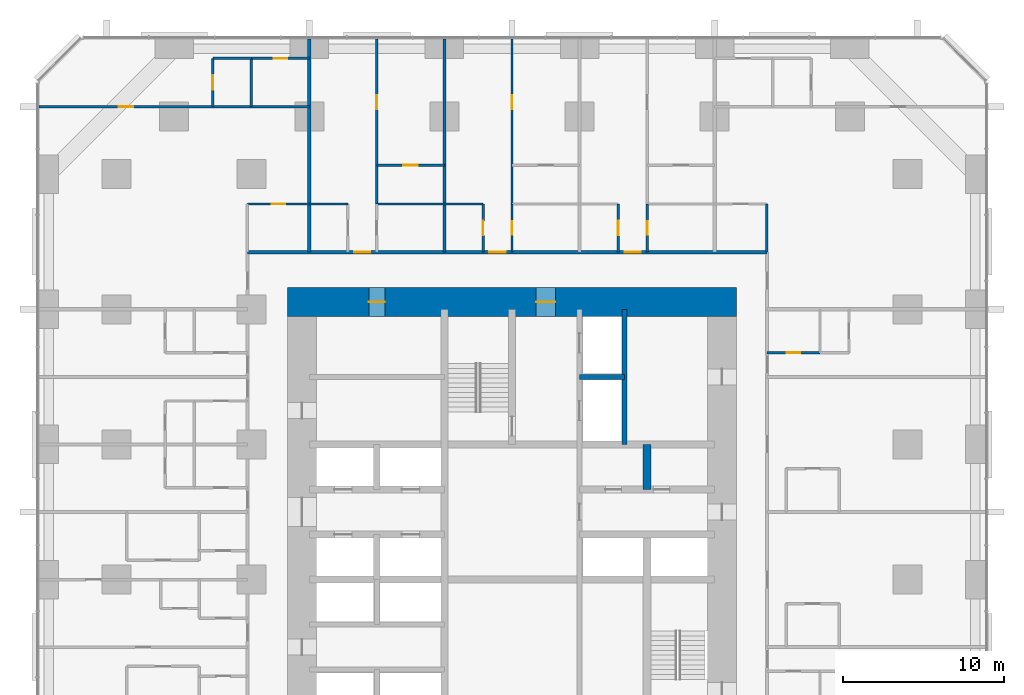
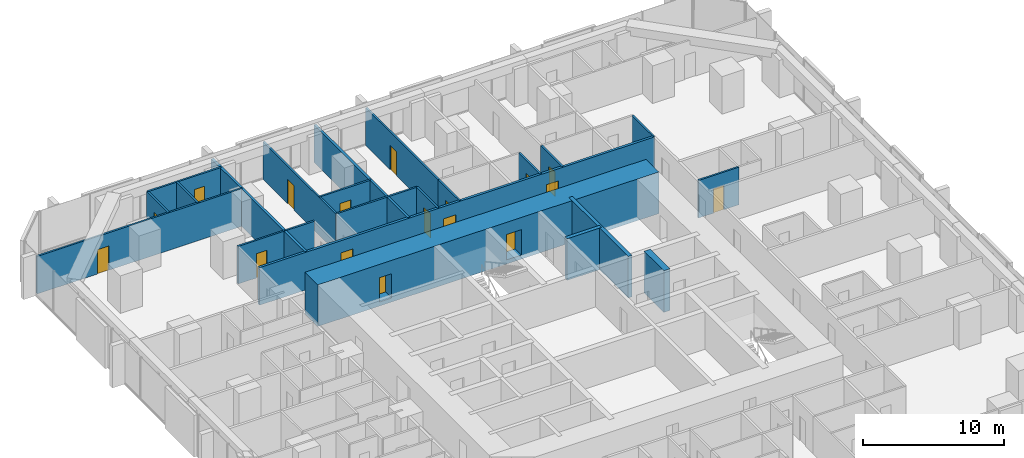
# One storey, part 15 of 17: 24 walls, 17 doors, 17 openings.
"""IFC4 building model written with IfcOpenShell, lengths in metres."""

from ifc_helpers import new_model, si_unit, direction, frame, frame_2d, origin, place, context, subcontext, project, spatial, rectangle, extrude, material, layer, layer_set, type_object, element, fill, save


model = new_model("IFC4")

# Units and contexts
model_context = context("Model", 3, precision=1e-05, world=origin(), true_north=direction((0.0, 1.0)))
body_context = subcontext(model_context, "Body", "Model", "MODEL_VIEW")
ifc_project = project(units=[si_unit("LENGTHUNIT", "METRE"), si_unit("AREAUNIT", "SQUARE_METRE"), si_unit("VOLUMEUNIT", "CUBIC_METRE"), si_unit("PLANEANGLEUNIT", "RADIAN"), si_unit("MASSUNIT", "GRAM", prefix="KILO")], contexts=[model_context])

# Site, building, storey
site_placement = place(None, origin())
site = spatial("IfcSite", under=ifc_project, at=site_placement, CompositionType="ELEMENT")
building_placement = place(site_placement, origin())
building = spatial("IfcBuilding", under=site, at=building_placement, Name="Dunama Terrace Hotel", CompositionType="ELEMENT")
storey_placement = place(building_placement, frame((0.0, 0.0, 45.0)))
storey = spatial("IfcBuildingStorey", under=building, at=storey_placement, Name="L10", CompositionType="ELEMENT", Elevation=45.0)

# Wall, opening, door
ifc_material_1 = material(Name="Gypsum board partition", Category="masonry")
ifc_layer_1 = layer(ifc_material_1, 0.14990234375)
ifc_layer_set_1 = layer_set([ifc_layer_1], Name="Bathroom partition 150")
wall_type_1 = type_object("IfcWallType", Name="Bathroom partition 150", PredefinedType="PARTITIONING", material=ifc_layer_set_1)
wall_1_placement = place(storey_placement, frame((29.39990234375, 45.550048828125, 0.0), z_axis=(0.0, 0.0, 1.0), x_axis=(0.0, 1.0, 0.0)))
wall_1 = element("IfcWall", 1, at=wall_1_placement, inside=storey, type_object=wall_type_1, Name="Bathroom partition 150 L10", PredefinedType="PARTITIONING", context=body_context, shape_type="SweptSolid", body=[
    extrude(rectangle(XDim=3.0, YDim=0.14990234375, at=frame_2d((1.5, 0.0))), origin(), (0.0, 0.0, 1.0), 3.25),
])
opening_1_placement = place(wall_1_placement, frame((1.074951171875, 0.0, 0.0)))
opening_1 = element("IfcOpeningElement", 2, at=opening_1_placement, cuts=wall_1, Name="Opening L10-11-041", PredefinedType="OPENING", context=body_context, shape_type="SweptSolid", body=[
    extrude(rectangle(XDim=0.85009765625, YDim=2.10009765625, at=frame_2d((0.425048828125, 1.050048828125))), frame((0.0, 0.0849609375, 0.0), z_axis=(0.0, -1.0, 0.0), x_axis=(1.0, 0.0, 0.0)), (0.0, 0.0, 1.0), 0.169921875),
])
ifc_material_2 = material(Name="Timber door with steel frame", Category="steel")
door_type_1 = type_object("IfcDoorType", Name="Bathroom door 850", OperationType="SINGLE_SWING_LEFT", PredefinedType="DOOR", material=ifc_material_2)
door_1_placement = place(opening_1_placement, frame((0.85009765625, 0.0, 0.0), z_axis=(0.0, 0.0, 1.0), x_axis=(-1.0, 0.0, 0.0)))
door_1 = element("IfcDoor", 3, at=door_1_placement, inside=storey, type_object=door_type_1, Name="Door to residence bathroom L10-11-041, type D2", OperationType="SINGLE_SWING_RIGHT", OverallHeight=2.10009765625, OverallWidth=0.85009765625, PredefinedType="DOOR", context=body_context, shape_type="SweptSolid", body=[
    extrude(rectangle(XDim=0.85009765625, YDim=2.10009765625, at=frame_2d((0.425048828125, 1.050048828125))), frame((0.0, 0.025146484375, 0.0), z_axis=(0.0, -1.0, 0.0), x_axis=(1.0, 0.0, 0.0)), (0.0, 0.0, 1.0), 0.050048828125),
])
fill(opening_1, door_1)

wall_2_placement = place(storey_placement, frame((37.800048828125, 45.550048828125, 0.0), z_axis=(0.0, 0.0, 1.0), x_axis=(0.0, 1.0, 0.0)))
wall_2 = element("IfcWall", 4, at=wall_2_placement, inside=storey, type_object=wall_type_1, Name="Bathroom partition 150 L10", PredefinedType="PARTITIONING", context=body_context, shape_type="SweptSolid", body=[
    extrude(rectangle(XDim=3.0, YDim=0.14990234375, at=frame_2d((1.5, 0.0))), origin(), (0.0, 0.0, 1.0), 3.25),
])
opening_2_placement = place(wall_2_placement, frame((1.074951171875, 0.0, 0.0)))
opening_2 = element("IfcOpeningElement", 5, at=opening_2_placement, cuts=wall_2, Name="Opening L10-11-046", PredefinedType="OPENING", context=body_context, shape_type="SweptSolid", body=[
    extrude(rectangle(XDim=0.85009765625, YDim=2.10009765625, at=frame_2d((0.425048828125, 1.050048828125))), frame((0.0, 0.0849609375, 0.0), z_axis=(0.0, -1.0, 0.0), x_axis=(1.0, 0.0, 0.0)), (0.0, 0.0, 1.0), 0.169921875),
])
door_2_placement = place(opening_2_placement, frame((0.85009765625, 0.0, 0.0), z_axis=(0.0, 0.0, 1.0), x_axis=(-1.0, 0.0, 0.0)))
door_2 = element("IfcDoor", 6, at=door_2_placement, inside=storey, type_object=door_type_1, Name="Door to residence bathroom L10-11-046, type D2", OperationType="SINGLE_SWING_RIGHT", OverallHeight=2.10009765625, OverallWidth=0.85009765625, PredefinedType="DOOR", context=body_context, shape_type="SweptSolid", body=[
    extrude(rectangle(XDim=0.85009765625, YDim=2.10009765625, at=frame_2d((0.425048828125, 1.050048828125))), frame((0.0, 0.025146484375, 0.0), z_axis=(0.0, -1.0, 0.0), x_axis=(1.0, 0.0, 0.0)), (0.0, 0.0, 1.0), 0.050048828125),
])
fill(opening_2, door_2)

# Wall
wall_3_placement = place(storey_placement, frame((45.25, 45.550048828125, 0.0), z_axis=(0.0, 0.0, 1.0), x_axis=(0.0, 1.0, 0.0)))
element("IfcWall", 7, at=wall_3_placement, inside=storey, type_object=wall_type_1, Name="Bathroom partition 150 L10", PredefinedType="PARTITIONING", context=body_context, shape_type="SweptSolid", body=[
    extrude(rectangle(XDim=3.0, YDim=0.14990234375, at=frame_2d((1.5, 0.0))), origin(), (0.0, 0.0, 1.0), 3.25),
])

# Wall, opening, door
wall_4_placement = place(storey_placement, frame((45.25, 39.300048828125, 0.0), z_axis=(0.0, 0.0, 1.0), x_axis=(1.0, 0.0, 0.0)))
wall_4 = element("IfcWall", 8, at=wall_4_placement, inside=storey, type_object=wall_type_1, Name="Bathroom partition 150 L10", PredefinedType="PARTITIONING", context=body_context, shape_type="SweptSolid", body=[
    extrude(rectangle(XDim=3.300048828125, YDim=0.14990234375, at=frame_2d((1.64990234375, 0.0))), origin(), (0.0, 0.0, 1.0), 3.25),
])
opening_3_placement = place(wall_4_placement, frame((1.22509765625, 0.0, 0.0)))
opening_3 = element("IfcOpeningElement", 9, at=opening_3_placement, cuts=wall_4, Name="Opening L10-11-032", PredefinedType="OPENING", context=body_context, shape_type="SweptSolid", body=[
    extrude(rectangle(XDim=0.85009765625, YDim=2.10009765625, at=frame_2d((0.425048828125, 1.050048828125))), frame((0.0, 0.0849609375, 0.0), z_axis=(0.0, -1.0, 0.0), x_axis=(1.0, 0.0, 0.0)), (0.0, 0.0, 1.0), 0.169921875),
])
door_3_placement = place(opening_3_placement, origin())
door_3 = element("IfcDoor", 10, at=door_3_placement, inside=storey, type_object=door_type_1, Name="Door to en-suite bathroom L10-11-032, type D2", OperationType="SINGLE_SWING_LEFT", OverallHeight=2.10009765625, OverallWidth=0.85009765625, PredefinedType="DOOR", context=body_context, shape_type="SweptSolid", body=[
    extrude(rectangle(XDim=0.85009765625, YDim=2.10009765625, at=frame_2d((0.425048828125, 1.050048828125))), frame((0.0, 0.02490234375, 0.0), z_axis=(0.0, -1.0, 0.0), x_axis=(1.0, 0.0, 0.0)), (0.0, 0.0, 1.0), 0.050048828125),
])
fill(opening_3, door_3)

wall_5_placement = place(storey_placement, frame((12.949951171875, 48.550048828125, 0.0), z_axis=(0.0, 0.0, 1.0), x_axis=(1.0, 0.0, 0.0)))
wall_5 = element("IfcWall", 11, at=wall_5_placement, inside=storey, type_object=wall_type_1, Name="Bathroom partition 150 L10", PredefinedType="PARTITIONING", context=body_context, shape_type="SweptSolid", body=[
    extrude(rectangle(XDim=3.85009765625, YDim=0.14990234375, at=frame_2d((1.925048828125, 0.0))), origin(), (0.0, 0.0, 1.0), 3.25),
])
opening_4_placement = place(wall_5_placement, frame((1.5, 0.0, 0.0)))
opening_4 = element("IfcOpeningElement", 12, at=opening_4_placement, cuts=wall_5, Name="Opening L10-11-083", PredefinedType="OPENING", context=body_context, shape_type="SweptSolid", body=[
    extrude(rectangle(XDim=0.85009765625, YDim=2.10009765625, at=frame_2d((0.425048828125, 1.050048828125))), frame((0.0, 0.0849609375, 0.0), z_axis=(0.0, -1.0, 0.0), x_axis=(1.0, 0.0, 0.0)), (0.0, 0.0, 1.0), 0.169921875),
])
door_4_placement = place(opening_4_placement, frame((0.85009765625, 0.0, 0.0), z_axis=(0.0, 0.0, 1.0), x_axis=(-1.0, 0.0, 0.0)))
door_4 = element("IfcDoor", 13, at=door_4_placement, inside=storey, type_object=door_type_1, Name="Door to powder room L10-11-083, type D2", OperationType="SINGLE_SWING_RIGHT", OverallHeight=2.10009765625, OverallWidth=0.85009765625, PredefinedType="DOOR", context=body_context, shape_type="SweptSolid", body=[
    extrude(rectangle(XDim=0.85009765625, YDim=2.10009765625, at=frame_2d((0.425048828125, 1.050048828125))), frame((0.0, 0.025146484375, 0.0), z_axis=(0.0, -1.0, 0.0), x_axis=(1.0, 0.0, 0.0)), (0.0, 0.0, 1.0), 0.050048828125),
])
fill(opening_4, door_4)

wall_6_placement = place(storey_placement, frame((13.199951171875, 57.60009765625, 0.0), z_axis=(0.0, 0.0, 1.0), x_axis=(1.0, 0.0, 0.0)))
wall_6 = element("IfcWall", 14, at=wall_6_placement, inside=storey, type_object=wall_type_1, Name="Bathroom partition 150 L10", PredefinedType="PARTITIONING", context=body_context, shape_type="SweptSolid", body=[
    extrude(rectangle(XDim=3.60009765625, YDim=0.14990234375, at=frame_2d((1.800048828125, 0.0))), origin(), (0.0, 0.0, 1.0), 3.25),
])
opening_5_placement = place(wall_6_placement, frame((1.375, 0.0, 0.0)))
opening_5 = element("IfcOpeningElement", 15, at=opening_5_placement, cuts=wall_6, Name="Opening L10-11-085", PredefinedType="OPENING", context=body_context, shape_type="SweptSolid", body=[
    extrude(rectangle(XDim=0.85009765625, YDim=2.10009765625, at=frame_2d((0.425048828125, 1.050048828125))), frame((0.0, 0.0849609375, 0.0), z_axis=(0.0, -1.0, 0.0), x_axis=(1.0, 0.0, 0.0)), (0.0, 0.0, 1.0), 0.169921875),
])
door_5_placement = place(opening_5_placement, frame((0.85009765625, 0.0, 0.0), z_axis=(0.0, 0.0, 1.0), x_axis=(-1.0, 0.0, 0.0)))
door_5 = element("IfcDoor", 16, at=door_5_placement, inside=storey, type_object=door_type_1, Name="Door to en-suite bathroom L10-11-085, type D2", OperationType="SINGLE_SWING_LEFT", OverallHeight=2.10009765625, OverallWidth=0.85009765625, PredefinedType="DOOR", context=body_context, shape_type="SweptSolid", body=[
    extrude(rectangle(XDim=0.85009765625, YDim=2.10009765625, at=frame_2d((0.425048828125, 1.050048828125))), frame((0.0, 0.025146484375, 0.0), z_axis=(0.0, -1.0, 0.0), x_axis=(1.0, 0.0, 0.0)), (0.0, 0.0, 1.0), 0.050048828125),
])
fill(opening_5, door_5)

# Walls
ifc_material_3 = material(Name="Concrete C50/60", Category="concrete")
ifc_layer_2 = layer(ifc_material_3, 0.300048828125)
ifc_layer_set_2 = layer_set([ifc_layer_2], Name="Core inner wall 300")
wall_type_2 = type_object("IfcWallType", Name="Core inner wall 300", PredefinedType="SHEAR", material=ifc_layer_set_2)
wall_7_placement = place(storey_placement, frame((36.39990234375, 33.60009765625, -0.35009765625), z_axis=(0.0, 0.0, 1.0), x_axis=(0.0, 1.0, 0.0)))
element("IfcWall", 17, at=wall_7_placement, inside=storey, type_object=wall_type_2, Name="Core inner wall 300 L10", PredefinedType="SHEAR", context=body_context, shape_type="SweptSolid", body=[
    extrude(rectangle(XDim=8.39990234375, YDim=0.300048828125, at=frame_2d((4.199951171875, 0.0))), origin(), (0.0, 0.0, 1.0), 3.60009765625),
])
wall_8_placement = place(storey_placement, frame((33.60009765625, 37.800048828125, -0.35009765625), z_axis=(0.0, 0.0, 1.0), x_axis=(1.0, 0.0, 0.0)))
element("IfcWall", 18, at=wall_8_placement, inside=storey, type_object=wall_type_2, Name="Core inner wall 300 L10", PredefinedType="SHEAR", context=body_context, shape_type="SweptSolid", body=[
    extrude(rectangle(XDim=2.7998046875, YDim=0.300048828125, at=frame_2d((1.39990234375, 0.0))), origin(), (0.0, 0.0, 1.0), 3.60009765625),
])
ifc_material_4 = material(Name="Concrete C50/60", Category="concrete")
ifc_layer_3 = layer(ifc_material_4, 0.5)
ifc_layer_set_3 = layer_set([ifc_layer_3], Name="Core inner wall 500")
wall_type_3 = type_object("IfcWallType", Name="Core inner wall 500", PredefinedType="SHEAR", material=ifc_layer_set_3)
wall_9_placement = place(storey_placement, frame((37.800048828125, 30.800048828125, -0.35009765625), z_axis=(0.0, 0.0, 1.0), x_axis=(0.0, 1.0, 0.0)))
element("IfcWall", 19, at=wall_9_placement, inside=storey, type_object=wall_type_3, Name="Core inner wall 500 L10", PredefinedType="SHEAR", context=body_context, shape_type="SweptSolid", body=[
    extrude(rectangle(XDim=2.800048828125, YDim=0.5, at=frame_2d((1.39990234375, 0.0))), origin(), (0.0, 0.0, 1.0), 3.60009765625),
])

# Wall, openings, doors
ifc_material_5 = material(Name="Concrete C60/75", Category="concrete")
ifc_layer_4 = layer(ifc_material_5, 1.800048828125)
ifc_layer_set_4 = layer_set([ifc_layer_4], Name="Core wall 1800")
wall_type_4 = type_object("IfcWallType", Name="Core wall 1800", PredefinedType="SHEAR", material=ifc_layer_set_4)
wall_10_placement = place(storey_placement, frame((43.35009765625, 42.449951171875, -0.35009765625), z_axis=(0.0, 0.0, 1.0), x_axis=(-1.0, 0.0, 0.0)))
wall_10 = element("IfcWall", 20, at=wall_10_placement, inside=storey, type_object=wall_type_4, Name="Core wall north L10", PredefinedType="SHEAR", context=body_context, shape_type="SweptSolid", body=[
    extrude(rectangle(XDim=27.900146484375, YDim=1.800048828125, at=frame_2d((13.9501953125, 0.0))), origin(), (0.0, 0.0, 1.0), 3.60009765625),
])
opening_6_placement = place(wall_10_placement, frame((21.85009765625, 0.0, 0.35009765625)))
opening_6 = element("IfcOpeningElement", 21, at=opening_6_placement, cuts=wall_10, Name="Opening L10-11-090", PredefinedType="OPENING", context=body_context, shape_type="SweptSolid", body=[
    extrude(rectangle(XDim=1.0, YDim=2.10009765625, at=frame_2d((0.5, 1.050048828125))), frame((0.0, 0.909912109375, 0.0), z_axis=(0.0, -1.0, 0.0), x_axis=(1.0, 0.0, 0.0)), (0.0, 0.0, 1.0), 1.820068359375),
])
opening_7_placement = place(wall_10_placement, frame((11.25, 0.0, 0.35009765625)))
opening_7 = element("IfcOpeningElement", 22, at=opening_7_placement, cuts=wall_10, Name="Opening L10-11-095", PredefinedType="OPENING", context=body_context, shape_type="SweptSolid", body=[
    extrude(rectangle(XDim=1.199951171875, YDim=2.199951171875, at=frame_2d((0.60009765625, 1.10009765625))), frame((0.0, 0.909912109375, 0.0), z_axis=(0.0, -1.0, 0.0), x_axis=(1.0, 0.0, 0.0)), (0.0, 0.0, 1.0), 1.820068359375),
])
ifc_material_6 = material(Name="Timber door with steel frame", Category="steel")
door_type_2 = type_object("IfcDoorType", Name="Firefighting lobby door 1200", OperationType="SINGLE_SWING_LEFT", PredefinedType="DOOR", material=ifc_material_6)
door_6_placement = place(opening_7_placement, origin())
door_6 = element("IfcDoor", 23, at=door_6_placement, inside=storey, type_object=door_type_2, Name="Door to firefighting lobby L10-11-095, type D4", OperationType="SINGLE_SWING_RIGHT", OverallHeight=2.199951171875, OverallWidth=1.199951171875, PredefinedType="DOOR", context=body_context, shape_type="SweptSolid", body=[
    extrude(rectangle(XDim=1.199951171875, YDim=2.199951171875, at=frame_2d((0.60009765625, 1.10009765625))), frame((0.0, 0.02490234375, 0.0), z_axis=(0.0, -1.0, 0.0), x_axis=(1.0, 0.0, 0.0)), (0.0, 0.0, 1.0), 0.050048828125),
])
fill(opening_7, door_6)
ifc_material_7 = material(Name="Timber door with steel frame", Category="steel")
door_type_3 = type_object("IfcDoorType", Name="Service door 1000", OperationType="SINGLE_SWING_LEFT", PredefinedType="DOOR", material=ifc_material_7)
door_7_placement = place(opening_6_placement, origin())
door_7 = element("IfcDoor", 24, at=door_7_placement, inside=storey, type_object=door_type_3, Name="Door to communications and riser room L10-11-090, type D7", OperationType="SINGLE_SWING_LEFT", OverallHeight=2.10009765625, OverallWidth=1.0, PredefinedType="DOOR", context=body_context, shape_type="SweptSolid", body=[
    extrude(rectangle(XDim=1.0, YDim=2.10009765625, at=frame_2d((0.5, 1.050048828125))), frame((0.0, 0.02490234375, 0.0), z_axis=(0.0, -1.0, 0.0), x_axis=(1.0, 0.0, 0.0)), (0.0, 0.0, 1.0), 0.050048828125),
])
fill(opening_6, door_7)

ifc_material_8 = material(Name="Concrete blockwork", Category="masonry")
ifc_layer_5 = layer(ifc_material_8, 0.199951171875)
ifc_layer_set_5 = layer_set([ifc_layer_5], Name="Corridor partition 200")
wall_type_5 = type_object("IfcWallType", Name="Corridor partition 200", PredefinedType="PARTITIONING", material=ifc_layer_set_5)
wall_11_placement = place(storey_placement, frame((12.949951171875, 45.550048828125, 0.0), z_axis=(0.0, 0.0, 1.0), x_axis=(1.0, 0.0, 0.0)))
wall_11 = element("IfcWall", 25, at=wall_11_placement, inside=storey, type_object=wall_type_5, Name="Corridor partition 200 L10", PredefinedType="PARTITIONING", context=body_context, shape_type="SweptSolid", body=[
    extrude(rectangle(XDim=32.300048828125, YDim=0.199951171875, at=frame_2d((16.14990234375, 0.0))), origin(), (0.0, 0.0, 1.0), 3.25),
])
opening_8_placement = place(wall_11_placement, frame((6.64990234375, 0.0, 0.0)))
opening_8 = element("IfcOpeningElement", 26, at=opening_8_placement, cuts=wall_11, Name="Opening L10-11-034", PredefinedType="OPENING", context=body_context, shape_type="SweptSolid", body=[
    extrude(rectangle(XDim=1.0, YDim=2.199951171875, at=frame_2d((0.5, 1.10009765625))), frame((0.0, 0.10986328125, 0.0), z_axis=(0.0, -1.0, 0.0), x_axis=(1.0, 0.0, 0.0)), (0.0, 0.0, 1.0), 0.219970703125),
])
opening_9_placement = place(wall_11_placement, frame((15.050048828125, 0.0, 0.0)))
opening_9 = element("IfcOpeningElement", 27, at=opening_9_placement, cuts=wall_11, Name="Opening L10-11-039", PredefinedType="OPENING", context=body_context, shape_type="SweptSolid", body=[
    extrude(rectangle(XDim=1.0, YDim=2.199951171875, at=frame_2d((0.5, 1.10009765625))), frame((0.0, 0.10986328125, 0.0), z_axis=(0.0, -1.0, 0.0), x_axis=(1.0, 0.0, 0.0)), (0.0, 0.0, 1.0), 0.219970703125),
])
opening_10_placement = place(wall_11_placement, frame((23.449951171875, 0.0, 0.0)))
opening_10 = element("IfcOpeningElement", 28, at=opening_10_placement, cuts=wall_11, Name="Opening L10-11-044", PredefinedType="OPENING", context=body_context, shape_type="SweptSolid", body=[
    extrude(rectangle(XDim=1.0, YDim=2.199951171875, at=frame_2d((0.5, 1.10009765625))), frame((0.0, 0.10986328125, 0.0), z_axis=(0.0, -1.0, 0.0), x_axis=(1.0, 0.0, 0.0)), (0.0, 0.0, 1.0), 0.219970703125),
])
ifc_material_9 = material(Name="Timber door with steel frame", Category="steel")
door_type_4 = type_object("IfcDoorType", Name="Guest room door 1000", OperationType="SINGLE_SWING_LEFT", PredefinedType="DOOR", material=ifc_material_9)
door_8_placement = place(opening_8_placement, origin())
door_8 = element("IfcDoor", 29, at=door_8_placement, inside=storey, type_object=door_type_4, Name="Door to residence living room L10-11-034, type D1", OperationType="SINGLE_SWING_RIGHT", OverallHeight=2.199951171875, OverallWidth=1.0, PredefinedType="DOOR", context=body_context, shape_type="SweptSolid", body=[
    extrude(rectangle(XDim=1.0, YDim=2.199951171875, at=frame_2d((0.5, 1.10009765625))), frame((0.0, 0.02490234375, 0.0), z_axis=(0.0, -1.0, 0.0), x_axis=(1.0, 0.0, 0.0)), (0.0, 0.0, 1.0), 0.050048828125),
])
fill(opening_8, door_8)
door_9_placement = place(opening_9_placement, origin())
door_9 = element("IfcDoor", 30, at=door_9_placement, inside=storey, type_object=door_type_4, Name="Door to residence living room L10-11-039, type D1", OperationType="SINGLE_SWING_LEFT", OverallHeight=2.199951171875, OverallWidth=1.0, PredefinedType="DOOR", context=body_context, shape_type="SweptSolid", body=[
    extrude(rectangle(XDim=1.0, YDim=2.199951171875, at=frame_2d((0.5, 1.10009765625))), frame((0.0, 0.02490234375, 0.0), z_axis=(0.0, -1.0, 0.0), x_axis=(1.0, 0.0, 0.0)), (0.0, 0.0, 1.0), 0.050048828125),
])
fill(opening_9, door_9)
door_10_placement = place(opening_10_placement, origin())
door_10 = element("IfcDoor", 31, at=door_10_placement, inside=storey, type_object=door_type_4, Name="Door to residence living room L10-11-044, type D1", OperationType="SINGLE_SWING_LEFT", OverallHeight=2.199951171875, OverallWidth=1.0, PredefinedType="DOOR", context=body_context, shape_type="SweptSolid", body=[
    extrude(rectangle(XDim=1.0, YDim=2.199951171875, at=frame_2d((0.5, 1.10009765625))), frame((0.0, 0.02490234375, 0.0), z_axis=(0.0, -1.0, 0.0), x_axis=(1.0, 0.0, 0.0)), (0.0, 0.0, 1.0), 0.050048828125),
])
fill(opening_10, door_10)

# Walls
ifc_material_10 = material(Name="Concrete blockwork", Category="masonry")
ifc_layer_6 = layer(ifc_material_10, 0.199951171875)
ifc_layer_set_6 = layer_set([ifc_layer_6], Name="Party wall 200")
wall_type_6 = type_object("IfcWallType", Name="Party wall 200", PredefinedType="PARTITIONING", material=ifc_layer_set_6)
for number, where, z_axis, x_axis, name in (
    (32, (16.800048828125, 45.550048828125, 0.0), (0.0, 0.0, 1.0), (0.0, 1.0, 0.0), "Party wall 200 L10"),
    (33, (25.199951171875, 45.550048828125, 0.0), (0.0, 0.0, 1.0), (0.0, 1.0, 0.0), "Party wall 200 L10"),
):
    element("IfcWall", number, at=place(storey_placement, frame(where, z_axis=z_axis, x_axis=x_axis)), inside=storey, type_object=wall_type_6, Name=name, PredefinedType="PARTITIONING", context=body_context, shape_type="SweptSolid", body=[
        extrude(rectangle(XDim=13.258056640625, YDim=0.199951171875, at=frame_2d((6.62890625, 0.0))), origin(), (0.0, 0.0, 1.0), 3.25),
    ])

# Wall, opening, door
ifc_material_11 = material(Name="Gypsum board partition", Category="masonry")
ifc_layer_7 = layer(ifc_material_11, 0.14990234375)
ifc_layer_set_7 = layer_set([ifc_layer_7], Name="Room partition 150")
wall_type_7 = type_object("IfcWallType", Name="Room partition 150", PredefinedType="PARTITIONING", material=ifc_layer_set_7)
wall_12_placement = place(storey_placement, frame((10.800048828125, 54.60009765625, 0.0), z_axis=(0.0, 0.0, 1.0), x_axis=(0.0, 1.0, 0.0)))
wall_12 = element("IfcWall", 34, at=wall_12_placement, inside=storey, type_object=wall_type_7, Name="Room partition 150 L10", PredefinedType="PARTITIONING", context=body_context, shape_type="SweptSolid", body=[
    extrude(rectangle(XDim=3.0, YDim=0.14990234375, at=frame_2d((1.5, 0.0))), origin(), (0.0, 0.0, 1.0), 3.25),
])
opening_11_placement = place(wall_12_placement, frame((1.050048828125, 0.0, 0.0)))
opening_11 = element("IfcOpeningElement", 35, at=opening_11_placement, cuts=wall_12, Name="Opening L10-11-086", PredefinedType="OPENING", context=body_context, shape_type="SweptSolid", body=[
    extrude(rectangle(XDim=0.89990234375, YDim=2.10009765625, at=frame_2d((0.449951171875, 1.050048828125))), frame((0.0, 0.0849609375, 0.0), z_axis=(0.0, -1.0, 0.0), x_axis=(1.0, 0.0, 0.0)), (0.0, 0.0, 1.0), 0.169921875),
])
ifc_material_12 = material(Name="Timber door with steel frame", Category="steel")
door_type_5 = type_object("IfcDoorType", Name="Suite internal door 900", OperationType="SINGLE_SWING_LEFT", PredefinedType="DOOR", material=ifc_material_12)
door_11_placement = place(opening_11_placement, frame((0.89990234375, 0.0, 0.0), z_axis=(0.0, 0.0, 1.0), x_axis=(-1.0, 0.0, 0.0)))
door_11 = element("IfcDoor", 36, at=door_11_placement, inside=storey, type_object=door_type_5, Name="Door to dressing room L10-11-086, type D16", OperationType="SINGLE_SWING_RIGHT", OverallHeight=2.10009765625, OverallWidth=0.89990234375, PredefinedType="DOOR", context=body_context, shape_type="SweptSolid", body=[
    extrude(rectangle(XDim=0.89990234375, YDim=2.10009765625, at=frame_2d((0.449951171875, 1.050048828125))), frame((0.0, 0.025146484375, 0.0), z_axis=(0.0, -1.0, 0.0), x_axis=(1.0, 0.0, 0.0)), (0.0, 0.0, 1.0), 0.050048828125),
])
fill(opening_11, door_11)

# Wall
wall_13_placement = place(storey_placement, frame((13.199951171875, 54.60009765625, 0.0), z_axis=(0.0, 0.0, 1.0), x_axis=(0.0, 1.0, 0.0)))
element("IfcWall", 37, at=wall_13_placement, inside=storey, type_object=wall_type_7, Name="Room partition 150 L10", PredefinedType="PARTITIONING", context=body_context, shape_type="SweptSolid", body=[
    extrude(rectangle(XDim=3.0, YDim=0.14990234375, at=frame_2d((1.5, 0.0))), origin(), (0.0, 0.0, 1.0), 3.25),
])

# Wall, opening, door
wall_14_placement = place(storey_placement, frame((21.0, 48.550048828125, 0.0), z_axis=(0.0, 0.0, 1.0), x_axis=(0.0, 1.0, 0.0)))
wall_14 = element("IfcWall", 38, at=wall_14_placement, inside=storey, type_object=wall_type_7, Name="Room partition 150 L10", PredefinedType="PARTITIONING", context=body_context, shape_type="SweptSolid", body=[
    extrude(rectangle(XDim=10.258056640625, YDim=0.14990234375, at=frame_2d((5.12890625, 0.0))), origin(), (0.0, 0.0, 1.0), 3.25),
])
opening_12_placement = place(wall_14_placement, frame((5.875, 0.0, 0.0)))
opening_12 = element("IfcOpeningElement", 39, at=opening_12_placement, cuts=wall_14, Name="Opening L10-11-038", PredefinedType="OPENING", context=body_context, shape_type="SweptSolid", body=[
    extrude(rectangle(XDim=0.89990234375, YDim=2.10009765625, at=frame_2d((0.449951171875, 1.050048828125))), frame((0.0, 0.0849609375, 0.0), z_axis=(0.0, -1.0, 0.0), x_axis=(1.0, 0.0, 0.0)), (0.0, 0.0, 1.0), 0.169921875),
])
door_12_placement = place(opening_12_placement, frame((0.89990234375, 0.0, 0.0), z_axis=(0.0, 0.0, 1.0), x_axis=(-1.0, 0.0, 0.0)))
door_12 = element("IfcDoor", 40, at=door_12_placement, inside=storey, type_object=door_type_5, Name="Door to residence bedroom L10-11-038, type D16", OperationType="SINGLE_SWING_RIGHT", OverallHeight=2.10009765625, OverallWidth=0.89990234375, PredefinedType="DOOR", context=body_context, shape_type="SweptSolid", body=[
    extrude(rectangle(XDim=0.89990234375, YDim=2.10009765625, at=frame_2d((0.449951171875, 1.050048828125))), frame((0.0, 0.025146484375, 0.0), z_axis=(0.0, -1.0, 0.0), x_axis=(1.0, 0.0, 0.0)), (0.0, 0.0, 1.0), 0.050048828125),
])
fill(opening_12, door_12)

wall_15_placement = place(storey_placement, frame((27.60009765625, 45.550048828125, 0.0), z_axis=(0.0, 0.0, 1.0), x_axis=(0.0, 1.0, 0.0)))
wall_15 = element("IfcWall", 41, at=wall_15_placement, inside=storey, type_object=wall_type_7, Name="Room partition 150 L10", PredefinedType="PARTITIONING", context=body_context, shape_type="SweptSolid", body=[
    extrude(rectangle(XDim=3.0, YDim=0.14990234375, at=frame_2d((1.5, 0.0))), origin(), (0.0, 0.0, 1.0), 3.25),
])
opening_13_placement = place(wall_15_placement, frame((1.050048828125, 0.0, 0.0)))
opening_13 = element("IfcOpeningElement", 42, at=opening_13_placement, cuts=wall_15, Name="Opening L10-11-040", PredefinedType="OPENING", context=body_context, shape_type="SweptSolid", body=[
    extrude(rectangle(XDim=0.89990234375, YDim=2.10009765625, at=frame_2d((0.449951171875, 1.050048828125))), frame((0.0, 0.0849609375, 0.0), z_axis=(0.0, -1.0, 0.0), x_axis=(1.0, 0.0, 0.0)), (0.0, 0.0, 1.0), 0.169921875),
])
door_13_placement = place(opening_13_placement, origin())
door_13 = element("IfcDoor", 43, at=door_13_placement, inside=storey, type_object=door_type_5, Name="Door to residence kitchen L10-11-040, type D16", OperationType="SINGLE_SWING_LEFT", OverallHeight=2.10009765625, OverallWidth=0.89990234375, PredefinedType="DOOR", context=body_context, shape_type="SweptSolid", body=[
    extrude(rectangle(XDim=0.89990234375, YDim=2.10009765625, at=frame_2d((0.449951171875, 1.050048828125))), frame((0.0, 0.02490234375, 0.0), z_axis=(0.0, -1.0, 0.0), x_axis=(1.0, 0.0, 0.0)), (0.0, 0.0, 1.0), 0.050048828125),
])
fill(opening_13, door_13)

wall_16_placement = place(storey_placement, frame((29.39990234375, 48.550048828125, 0.0), z_axis=(0.0, 0.0, 1.0), x_axis=(0.0, 1.0, 0.0)))
wall_16 = element("IfcWall", 44, at=wall_16_placement, inside=storey, type_object=wall_type_7, Name="Room partition 150 L10", PredefinedType="PARTITIONING", context=body_context, shape_type="SweptSolid", body=[
    extrude(rectangle(XDim=10.258056640625, YDim=0.14990234375, at=frame_2d((5.12890625, 0.0))), origin(), (0.0, 0.0, 1.0), 3.25),
])
opening_14_placement = place(wall_16_placement, frame((5.875, 0.0, 0.0)))
opening_14 = element("IfcOpeningElement", 45, at=opening_14_placement, cuts=wall_16, Name="Opening L10-11-043", PredefinedType="OPENING", context=body_context, shape_type="SweptSolid", body=[
    extrude(rectangle(XDim=0.89990234375, YDim=2.10009765625, at=frame_2d((0.449951171875, 1.050048828125))), frame((0.0, 0.0849609375, 0.0), z_axis=(0.0, -1.0, 0.0), x_axis=(1.0, 0.0, 0.0)), (0.0, 0.0, 1.0), 0.169921875),
])
door_14_placement = place(opening_14_placement, frame((0.89990234375, 0.0, 0.0), z_axis=(0.0, 0.0, 1.0), x_axis=(-1.0, 0.0, 0.0)))
door_14 = element("IfcDoor", 46, at=door_14_placement, inside=storey, type_object=door_type_5, Name="Door to residence bedroom L10-11-043, type D16", OperationType="SINGLE_SWING_RIGHT", OverallHeight=2.10009765625, OverallWidth=0.89990234375, PredefinedType="DOOR", context=body_context, shape_type="SweptSolid", body=[
    extrude(rectangle(XDim=0.89990234375, YDim=2.10009765625, at=frame_2d((0.449951171875, 1.050048828125))), frame((0.0, 0.025146484375, 0.0), z_axis=(0.0, -1.0, 0.0), x_axis=(1.0, 0.0, 0.0)), (0.0, 0.0, 1.0), 0.050048828125),
])
fill(opening_14, door_14)

wall_17_placement = place(storey_placement, frame((36.0, 45.550048828125, 0.0), z_axis=(0.0, 0.0, 1.0), x_axis=(0.0, 1.0, 0.0)))
wall_17 = element("IfcWall", 47, at=wall_17_placement, inside=storey, type_object=wall_type_7, Name="Room partition 150 L10", PredefinedType="PARTITIONING", context=body_context, shape_type="SweptSolid", body=[
    extrude(rectangle(XDim=3.0, YDim=0.14990234375, at=frame_2d((1.5, 0.0))), origin(), (0.0, 0.0, 1.0), 3.25),
])
opening_15_placement = place(wall_17_placement, frame((1.050048828125, 0.0, 0.0)))
opening_15 = element("IfcOpeningElement", 48, at=opening_15_placement, cuts=wall_17, Name="Opening L10-11-045", PredefinedType="OPENING", context=body_context, shape_type="SweptSolid", body=[
    extrude(rectangle(XDim=0.89990234375, YDim=2.10009765625, at=frame_2d((0.449951171875, 1.050048828125))), frame((0.0, 0.0849609375, 0.0), z_axis=(0.0, -1.0, 0.0), x_axis=(1.0, 0.0, 0.0)), (0.0, 0.0, 1.0), 0.169921875),
])
door_15_placement = place(opening_15_placement, origin())
door_15 = element("IfcDoor", 49, at=door_15_placement, inside=storey, type_object=door_type_5, Name="Door to residence kitchen L10-11-045, type D16", OperationType="SINGLE_SWING_LEFT", OverallHeight=2.10009765625, OverallWidth=0.89990234375, PredefinedType="DOOR", context=body_context, shape_type="SweptSolid", body=[
    extrude(rectangle(XDim=0.89990234375, YDim=2.10009765625, at=frame_2d((0.449951171875, 1.050048828125))), frame((0.0, 0.02490234375, 0.0), z_axis=(0.0, -1.0, 0.0), x_axis=(1.0, 0.0, 0.0)), (0.0, 0.0, 1.0), 0.050048828125),
])
fill(opening_15, door_15)

# Walls
wall_18_placement = place(storey_placement, frame((16.800048828125, 48.550048828125, 0.0), z_axis=(0.0, 0.0, 1.0), x_axis=(1.0, 0.0, 0.0)))
element("IfcWall", 50, at=wall_18_placement, inside=storey, type_object=wall_type_7, Name="Room partition 150 L10", PredefinedType="PARTITIONING", context=body_context, shape_type="SweptSolid", body=[
    extrude(rectangle(XDim=2.39990234375, YDim=0.14990234375, at=frame_2d((1.199951171875, 0.0))), origin(), (0.0, 0.0, 1.0), 3.25),
])
wall_19_placement = place(storey_placement, frame((21.0, 48.550048828125, 0.0), z_axis=(0.0, 0.0, 1.0), x_axis=(1.0, 0.0, 0.0)))
element("IfcWall", 51, at=wall_19_placement, inside=storey, type_object=wall_type_7, Name="Room partition 150 L10", PredefinedType="PARTITIONING", context=body_context, shape_type="SweptSolid", body=[
    extrude(rectangle(XDim=6.60009765625, YDim=0.14990234375, at=frame_2d((3.300048828125, 0.0))), origin(), (0.0, 0.0, 1.0), 3.25),
])

# Wall, opening, door
wall_20_placement = place(storey_placement, frame((21.0, 50.949951171875, 0.0), z_axis=(0.0, 0.0, 1.0), x_axis=(1.0, 0.0, 0.0)))
wall_20 = element("IfcWall", 52, at=wall_20_placement, inside=storey, type_object=wall_type_7, Name="Room partition 150 L10", PredefinedType="PARTITIONING", context=body_context, shape_type="SweptSolid", body=[
    extrude(rectangle(XDim=4.199951171875, YDim=0.14990234375, at=frame_2d((2.10009765625, 0.0))), origin(), (0.0, 0.0, 1.0), 3.25),
])
opening_16_placement = place(wall_20_placement, frame((1.64990234375, 0.0, 0.0)))
opening_16 = element("IfcOpeningElement", 53, at=opening_16_placement, cuts=wall_20, Name="Opening L10-11-037", PredefinedType="OPENING", context=body_context, shape_type="SweptSolid", body=[
    extrude(rectangle(XDim=0.89990234375, YDim=2.10009765625, at=frame_2d((0.449951171875, 1.050048828125))), frame((0.0, 0.0849609375, 0.0), z_axis=(0.0, -1.0, 0.0), x_axis=(1.0, 0.0, 0.0)), (0.0, 0.0, 1.0), 0.169921875),
])
door_16_placement = place(opening_16_placement, frame((0.89990234375, 0.0, 0.0), z_axis=(0.0, 0.0, 1.0), x_axis=(-1.0, 0.0, 0.0)))
door_16 = element("IfcDoor", 54, at=door_16_placement, inside=storey, type_object=door_type_5, Name="Door to walk-in wardrobe L10-11-037, type D16", OperationType="SINGLE_SWING_RIGHT", OverallHeight=2.10009765625, OverallWidth=0.89990234375, PredefinedType="DOOR", context=body_context, shape_type="SweptSolid", body=[
    extrude(rectangle(XDim=0.89990234375, YDim=2.10009765625, at=frame_2d((0.449951171875, 1.050048828125))), frame((0.0, 0.025146484375, 0.0), z_axis=(0.0, -1.0, 0.0), x_axis=(1.0, 0.0, 0.0)), (0.0, 0.0, 1.0), 0.050048828125),
])
fill(opening_16, door_16)

wall_21_placement = place(storey_placement, frame((-0.008056640625, 54.60009765625, 0.0), z_axis=(0.0, 0.0, 1.0), x_axis=(1.0, 0.0, 0.0)))
wall_21 = element("IfcWall", 55, at=wall_21_placement, inside=storey, type_object=wall_type_7, Name="Room partition 150 L10", PredefinedType="PARTITIONING", context=body_context, shape_type="SweptSolid", body=[
    extrude(rectangle(XDim=16.80810546875, YDim=0.14990234375, at=frame_2d((8.404052734375, 0.0))), origin(), (0.0, 0.0, 1.0), 3.25),
])
opening_17_placement = place(wall_21_placement, frame((4.9580078125, 0.0, 0.0)))
opening_17 = element("IfcOpeningElement", 56, at=opening_17_placement, cuts=wall_21, Name="Opening L10-11-084", PredefinedType="OPENING", context=body_context, shape_type="SweptSolid", body=[
    extrude(rectangle(XDim=0.89990234375, YDim=2.10009765625, at=frame_2d((0.449951171875, 1.050048828125))), frame((0.0, 0.0849609375, 0.0), z_axis=(0.0, -1.0, 0.0), x_axis=(1.0, 0.0, 0.0)), (0.0, 0.0, 1.0), 0.169921875),
])
door_17_placement = place(opening_17_placement, origin())
door_17 = element("IfcDoor", 57, at=door_17_placement, inside=storey, type_object=door_type_5, Name="Door to corner suite bedroom L10-11-084, type D16", OperationType="SINGLE_SWING_RIGHT", OverallHeight=2.10009765625, OverallWidth=0.89990234375, PredefinedType="DOOR", context=body_context, shape_type="SweptSolid", body=[
    extrude(rectangle(XDim=0.89990234375, YDim=2.10009765625, at=frame_2d((0.449951171875, 1.050048828125))), frame((0.0, 0.02490234375, 0.0), z_axis=(0.0, -1.0, 0.0), x_axis=(1.0, 0.0, 0.0)), (0.0, 0.0, 1.0), 0.050048828125),
])
fill(opening_17, door_17)

# Wall
wall_22_placement = place(storey_placement, frame((10.800048828125, 57.60009765625, 0.0), z_axis=(0.0, 0.0, 1.0), x_axis=(1.0, 0.0, 0.0)))
element("IfcWall", 58, at=wall_22_placement, inside=storey, type_object=wall_type_7, Name="Room partition 150 L10", PredefinedType="PARTITIONING", context=body_context, shape_type="SweptSolid", body=[
    extrude(rectangle(XDim=2.39990234375, YDim=0.14990234375, at=frame_2d((1.199951171875, 0.0))), origin(), (0.0, 0.0, 1.0), 3.25),
])

save(model, "model.ifc")
